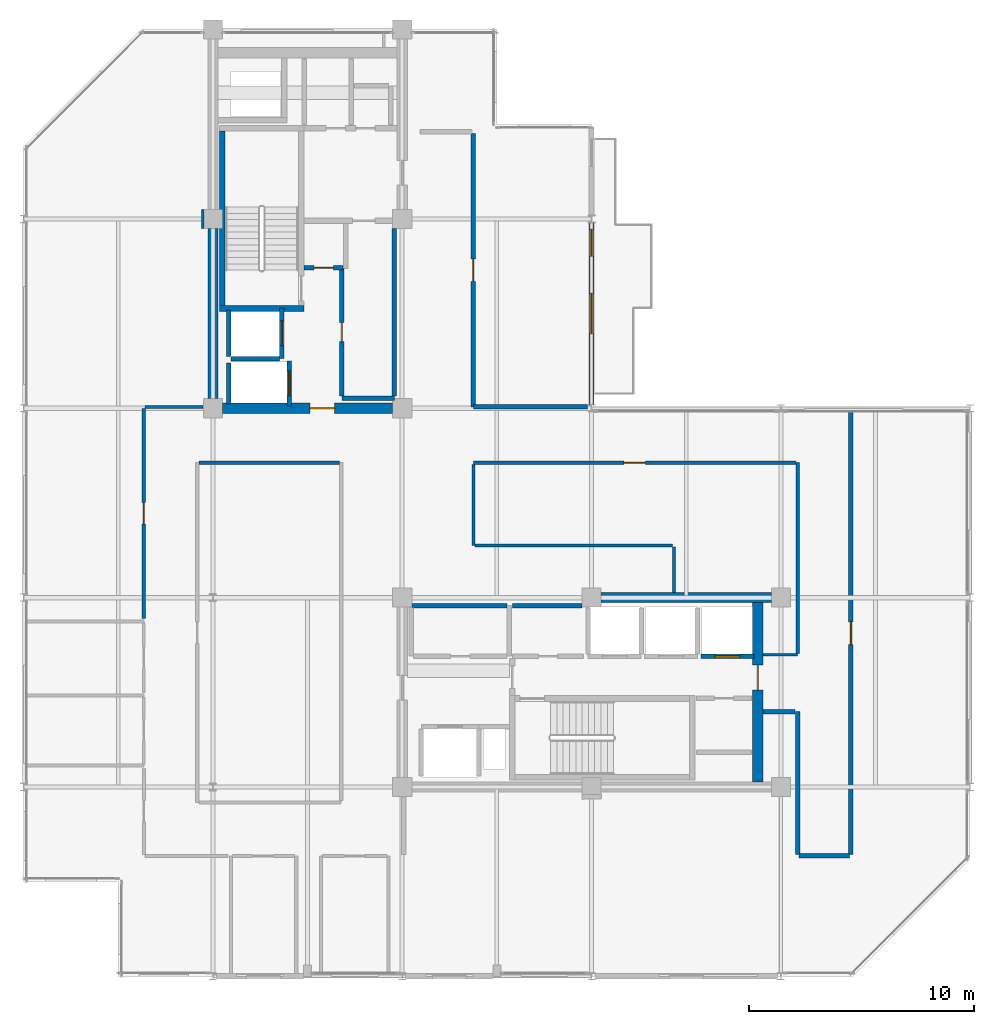
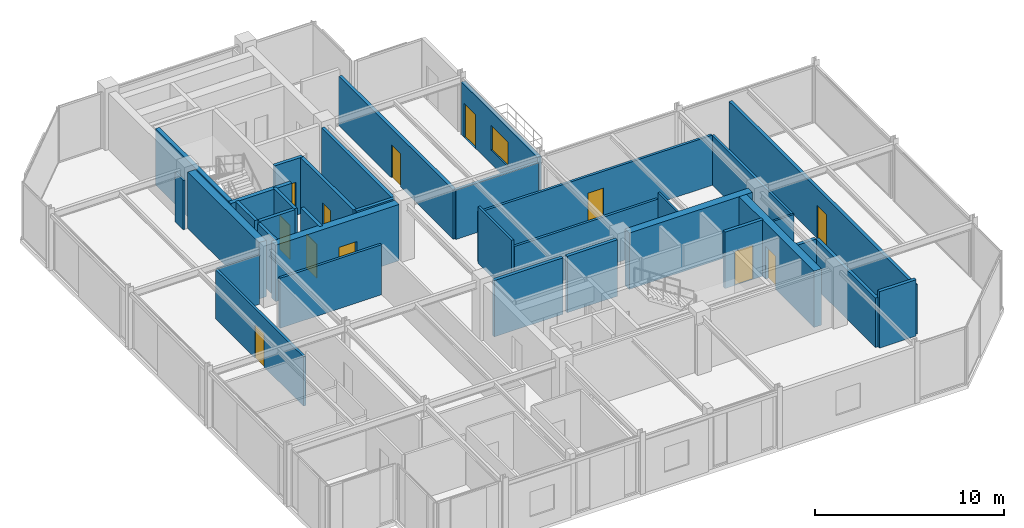
# One storey, part 22 of 26: 35 walls, 12 doors, 1 window, 13 openings.
"""IFC4 building model written with IfcOpenShell, lengths in metres."""

from ifc_helpers import new_model, si_unit, direction, frame, frame_2d, origin, place, context, subcontext, project, spatial, rectangle, extrude, material, layer, layer_set, type_object, element, fill, save


model = new_model("IFC4")

# Units and contexts
model_context = context("Model", 3, precision=1e-05, world=origin(), true_north=direction((0.0, 1.0)))
body_context = subcontext(model_context, "Body", "Model", "MODEL_VIEW")
ifc_project = project(units=[si_unit("LENGTHUNIT", "METRE"), si_unit("AREAUNIT", "SQUARE_METRE"), si_unit("VOLUMEUNIT", "CUBIC_METRE"), si_unit("PLANEANGLEUNIT", "RADIAN"), si_unit("MASSUNIT", "GRAM", prefix="KILO")], contexts=[model_context])

# Site, building, storey
site_placement = place(None, origin())
site = spatial("IfcSite", under=ifc_project, at=site_placement, CompositionType="ELEMENT")
building_placement = place(site_placement, origin())
building = spatial("IfcBuilding", under=site, at=building_placement, Name="Nerrivon Quay Data Exchange", CompositionType="ELEMENT")
storey_placement = place(building_placement, frame((0.0, 0.0, 282.199951171875)))
storey = spatial("IfcBuildingStorey", under=building, at=storey_placement, Name="L67", CompositionType="ELEMENT", Elevation=282.199951171875)

# Wall, openings, door, window
ifc_material_1 = material(Name="Architectural terracotta precast concrete N50 (50 MPa)", Category="masonry")
ifc_layer_1 = layer(ifc_material_1, 0.239990234375)
ifc_layer_set_1 = layer_set([ifc_layer_1], Name="Architectural terracotta precast concrete N50 (50 MPa)")
wall_type_1 = type_object("IfcWallType", Name="EW-PREC-240", PredefinedType="STANDARD", material=ifc_layer_set_1)
wall_1_placement = place(storey_placement, frame((25.199951171875, 33.4365234375, 0.0), z_axis=(0.0, 0.0, 1.0), x_axis=(0.0, -1.0, 0.0)))
wall_1 = element("IfcWall", 1, at=wall_1_placement, inside=storey, type_object=wall_type_1, Name="L67 Terrace Host Wall 23", PredefinedType="STANDARD", context=body_context, shape_type="SweptSolid", body=[
    extrude(rectangle(XDim=8.072998046875, YDim=0.239990234375, at=frame_2d((4.03662109375, 0.0))), origin(), (0.0, 0.0, 1.0), 3.400146484375),
])
opening_1_placement = place(wall_1_placement, frame((0.300048828125, 0.0, 0.0)))
opening_1 = element("IfcOpeningElement", 2, at=opening_1_placement, cuts=wall_1, Name="Opening TD1", PredefinedType="OPENING", context=body_context, shape_type="SweptSolid", body=[
    extrude(rectangle(XDim=1.199951171875, YDim=2.199951171875, at=frame_2d((0.60009765625, 1.10009765625))), frame((0.0, 0.1298828125, 0.0), z_axis=(0.0, -1.0, 0.0), x_axis=(1.0, 0.0, 0.0)), (0.0, 0.0, 1.0), 0.260009765625),
])
opening_2_placement = place(wall_1_placement, frame((3.136474609375, 0.0, 0.89990234375)))
opening_2 = element("IfcOpeningElement", 3, at=opening_2_placement, cuts=wall_1, Name="Opening WN2", PredefinedType="OPENING", context=body_context, shape_type="SweptSolid", body=[
    extrude(rectangle(XDim=1.800048828125, YDim=1.60009765625, at=frame_2d((0.89990234375, 0.800048828125))), frame((0.0, 0.1298828125, 0.0), z_axis=(0.0, -1.0, 0.0), x_axis=(1.0, 0.0, 0.0)), (0.0, 0.0, 1.0), 0.260009765625),
])
ifc_material_2 = material(Name="Double-glazed low-E solar control glass", Category="glass")
door_type_1 = type_object("IfcDoorType", Name="DR-TERR-1200x2200", OperationType="NOTDEFINED", PredefinedType="DOOR", material=ifc_material_2)
door_1_placement = place(opening_1_placement, origin())
door_1 = element("IfcDoor", 4, at=door_1_placement, inside=storey, type_object=door_type_1, Name="L67 Outdoor Terrace Access Door 23", OperationType="SINGLE_SWING_RIGHT", OverallHeight=2.199951171875, OverallWidth=1.199951171875, PredefinedType="DOOR", context=body_context, shape_type="SweptSolid", body=[
    extrude(rectangle(XDim=1.199951171875, YDim=2.199951171875, at=frame_2d((0.60009765625, 1.10009765625))), frame((0.0, 0.02490234375, 0.0), z_axis=(0.0, -1.0, 0.0), x_axis=(1.0, 0.0, 0.0)), (0.0, 0.0, 1.0), 0.050048828125),
])
fill(opening_1, door_1)
window_type = type_object("IfcWindowType", Name="WIN-W2-1800x1600", PartitioningType="SINGLE_PANEL", PredefinedType="WINDOW", material=ifc_material_2)
window_placement = place(opening_2_placement, origin())
window = element("IfcWindow", 5, at=window_placement, inside=storey, type_object=window_type, Name="L67 Terrace Side Window 23", OverallHeight=1.60009765625, OverallWidth=1.800048828125, PartitioningType="SINGLE_PANEL", PredefinedType="WINDOW", context=body_context, shape_type="SweptSolid", body=[
    extrude(rectangle(XDim=1.800048828125, YDim=1.60009765625, at=frame_2d((0.89990234375, 0.800048828125))), frame((0.0, 0.030029296875, 0.0), z_axis=(0.0, -1.0, 0.0), x_axis=(1.0, 0.0, 0.0)), (0.0, 0.0, 1.0), 0.06005859375),
])
fill(opening_2, window)

# Wall
ifc_material_3 = material(Name="Concrete N50 (50 MPa)", Category="concrete")
ifc_layer_2 = layer(ifc_material_3, 0.449951171875)
ifc_layer_set_2 = layer_set([ifc_layer_2], Name="Concrete N50 (50 MPa)")
wall_type_2 = type_object("IfcWallType", Name="WALL-CW-550", PredefinedType="SHEAR", material=ifc_layer_set_2)
wall_2_placement = place(storey_placement, frame((8.39990234375, 25.625, 0.0), z_axis=(0.0, 0.0, 1.0), x_axis=(0.0, 1.0, 0.0)))
element("IfcWall", 6, at=wall_2_placement, inside=storey, type_object=wall_type_2, Name="L67 West Split-Core Shear Wall WCW-W1", PredefinedType="SHEAR", context=body_context, shape_type="SweptSolid", body=[
    extrude(rectangle(XDim=7.550048828125, YDim=0.449951171875, at=frame_2d((3.77490234375, 0.0))), origin(), (0.0, 0.0, 1.0), 3.650146484375),
])

# Wall, opening, door
wall_3_placement = place(storey_placement, frame((8.824951171875, 25.199951171875, 0.0), z_axis=(0.0, 0.0, 1.0), x_axis=(1.0, 0.0, 0.0)))
wall_3 = element("IfcWall", 7, at=wall_3_placement, inside=storey, type_object=wall_type_2, Name="L67 West Split-Core Shear Wall WCW-S1", PredefinedType="SHEAR", context=body_context, shape_type="SweptSolid", body=[
    extrude(rectangle(XDim=7.550048828125, YDim=0.449951171875, at=frame_2d((3.77490234375, 0.0))), origin(), (0.0, 0.0, 1.0), 3.650146484375),
])
opening_3_placement = place(wall_3_placement, frame((3.875, 0.0, 0.0)))
opening_3 = element("IfcOpeningElement", 8, at=opening_3_placement, cuts=wall_3, Name="Opening FD-120", PredefinedType="OPENING", context=body_context, shape_type="SweptSolid", body=[
    extrude(rectangle(XDim=1.10009765625, YDim=2.14990234375, at=frame_2d((0.550048828125, 1.074951171875))), frame((0.0, 0.23486328125, 0.0), z_axis=(0.0, -1.0, 0.0), x_axis=(1.0, 0.0, 0.0)), (0.0, 0.0, 1.0), 0.469970703125),
])
ifc_material_4 = material(Name="Powder-coated galvanized steel sheet", Category="steel")
door_type_2 = type_object("IfcDoorType", Name="DR-FD120-1100", OperationType="NOTDEFINED", PredefinedType="DOOR", material=ifc_material_4)
door_2_placement = place(opening_3_placement, origin())
door_2 = element("IfcDoor", 9, at=door_2_placement, inside=storey, type_object=door_type_2, Name="L67 West Core Lobby Fire Door", OperationType="SINGLE_SWING_RIGHT", OverallHeight=2.14990234375, OverallWidth=1.10009765625, PredefinedType="DOOR", context=body_context, shape_type="SweptSolid", body=[
    extrude(rectangle(XDim=1.10009765625, YDim=2.14990234375, at=frame_2d((0.550048828125, 1.074951171875))), frame((0.0, 0.02490234375, 0.0), z_axis=(0.0, -1.0, 0.0), x_axis=(1.0, 0.0, 0.0)), (0.0, 0.0, 1.0), 0.050048828125),
])
fill(opening_3, door_2)

wall_4_placement = place(storey_placement, frame((32.574951171875, 8.625, 0.0), z_axis=(0.0, 0.0, 1.0), x_axis=(0.0, 1.0, 0.0)))
wall_4 = element("IfcWall", 10, at=wall_4_placement, inside=storey, type_object=wall_type_2, Name="L67 East Split-Core Shear Wall ECW-E1", PredefinedType="SHEAR", context=body_context, shape_type="SweptSolid", body=[
    extrude(rectangle(XDim=7.949951171875, YDim=0.449951171875, at=frame_2d((3.97509765625, 0.0))), origin(), (0.0, 0.0, 1.0), 3.650146484375),
])
opening_4_placement = place(wall_4_placement, frame((4.074951171875, 0.0, 0.0)))
opening_4 = element("IfcOpeningElement", 11, at=opening_4_placement, cuts=wall_4, Name="Opening FD-120", PredefinedType="OPENING", context=body_context, shape_type="SweptSolid", body=[
    extrude(rectangle(XDim=1.10009765625, YDim=2.14990234375, at=frame_2d((0.550048828125, 1.074951171875))), frame((0.0, 0.23486328125, 0.0), z_axis=(0.0, -1.0, 0.0), x_axis=(1.0, 0.0, 0.0)), (0.0, 0.0, 1.0), 0.469970703125),
])
door_3_placement = place(opening_4_placement, origin())
door_3 = element("IfcDoor", 12, at=door_3_placement, inside=storey, type_object=door_type_2, Name="L67 East Core Lobby Fire Door", OperationType="SINGLE_SWING_LEFT", OverallHeight=2.14990234375, OverallWidth=1.10009765625, PredefinedType="DOOR", context=body_context, shape_type="SweptSolid", body=[
    extrude(rectangle(XDim=1.10009765625, YDim=2.14990234375, at=frame_2d((0.550048828125, 1.074951171875))), frame((0.0, 0.02490234375, 0.0), z_axis=(0.0, -1.0, 0.0), x_axis=(1.0, 0.0, 0.0)), (0.0, 0.0, 1.0), 0.050048828125),
])
fill(opening_4, door_3)

# Wall
wall_5_placement = place(storey_placement, frame((25.625, 16.800048828125, 0.0), z_axis=(0.0, 0.0, 1.0), x_axis=(1.0, 0.0, 0.0)))
element("IfcWall", 13, at=wall_5_placement, inside=storey, type_object=wall_type_2, Name="L67 East Split-Core Shear Wall ECW-N1", PredefinedType="SHEAR", context=body_context, shape_type="SweptSolid", body=[
    extrude(rectangle(XDim=7.550048828125, YDim=0.449951171875, at=frame_2d((3.77490234375, 0.0))), origin(), (0.0, 0.0, 1.0), 3.650146484375),
])

# Wall, opening, door
ifc_material_5 = material(Name="Gypsum plasterboard on cold-formed framing", Category="gypsum")
ifc_layer_3 = layer(ifc_material_5, 0.199951171875)
ifc_layer_set_3 = layer_set([ifc_layer_3], Name="Gypsum plasterboard on cold-formed framing")
wall_type_3 = type_object("IfcWallType", Name="WALL-FW-200", PredefinedType="PARTITIONING", material=ifc_layer_set_3)
wall_6_placement = place(storey_placement, frame((11.449951171875, 27.39990234375, 0.0), z_axis=(0.0, 0.0, 1.0), x_axis=(0.0, 1.0, 0.0)))
wall_6 = element("IfcWall", 14, at=wall_6_placement, inside=storey, type_object=wall_type_3, Name="L67 Lift Front Wall FFL-1", PredefinedType="PARTITIONING", context=body_context, shape_type="SweptSolid", body=[
    extrude(rectangle(XDim=2.25, YDim=0.199951171875, at=frame_2d((1.125, 0.0))), origin(), (0.0, 0.0, 1.0), 3.650146484375),
])
opening_5_placement = place(wall_6_placement, frame((0.574951171875, 0.0, 0.0)))
opening_5 = element("IfcOpeningElement", 15, at=opening_5_placement, cuts=wall_6, Name="Opening LD-120", PredefinedType="OPENING", context=body_context, shape_type="SweptSolid", body=[
    extrude(rectangle(XDim=1.10009765625, YDim=2.199951171875, at=frame_2d((0.550048828125, 1.10009765625))), frame((0.0, 0.10986328125, 0.0), z_axis=(0.0, -1.0, 0.0), x_axis=(1.0, 0.0, 0.0)), (0.0, 0.0, 1.0), 0.219970703125),
])
door_type_3 = type_object("IfcDoorType", Name="DR-LIFT-LD120", OperationType="DOUBLE_DOOR_SLIDING", PredefinedType="DOOR", material=ifc_material_4)
door_4_placement = place(opening_5_placement, origin())
door_4 = element("IfcDoor", 16, at=door_4_placement, inside=storey, type_object=door_type_3, Name="L67 Lift Landing Sliding Door FFL-1", OperationType="DOUBLE_DOOR_SLIDING", OverallHeight=2.199951171875, OverallWidth=1.10009765625, PredefinedType="DOOR", context=body_context, shape_type="SweptSolid", body=[
    extrude(rectangle(XDim=1.10009765625, YDim=2.199951171875, at=frame_2d((0.550048828125, 1.10009765625))), frame((0.0, 0.02490234375, 0.0), z_axis=(0.0, -1.0, 0.0), x_axis=(1.0, 0.0, 0.0)), (0.0, 0.0, 1.0), 0.050048828125),
])
fill(opening_5, door_4)

# Walls
wall_7_placement = place(storey_placement, frame((9.10009765625, 27.5, 0.0), z_axis=(0.0, 0.0, 1.0), x_axis=(0.0, 1.0, 0.0)))
element("IfcWall", 17, at=wall_7_placement, inside=storey, type_object=wall_type_3, Name="L67 Lift Shaft Wall FFL-1 WEST", PredefinedType="PARTITIONING", context=body_context, shape_type="SweptSolid", body=[
    extrude(rectangle(XDim=2.050048828125, YDim=0.199951171875, at=frame_2d((1.02490234375, 0.0))), origin(), (0.0, 0.0, 1.0), 3.650146484375),
])
wall_8_placement = place(storey_placement, frame((9.199951171875, 27.39990234375, 0.0), z_axis=(0.0, 0.0, 1.0), x_axis=(1.0, 0.0, 0.0)))
element("IfcWall", 18, at=wall_8_placement, inside=storey, type_object=wall_type_3, Name="L67 Lift Shaft Wall FFL-1 SOUTH", PredefinedType="PARTITIONING", context=body_context, shape_type="SweptSolid", body=[
    extrude(rectangle(XDim=2.150146484375, YDim=0.199951171875, at=frame_2d((1.0751953125, 0.0))), origin(), (0.0, 0.0, 1.0), 3.650146484375),
])

# Wall, opening, door
wall_9_placement = place(storey_placement, frame((11.800048828125, 25.300048828125, 0.0), z_axis=(0.0, 0.0, 1.0), x_axis=(0.0, 1.0, 0.0)))
wall_9 = element("IfcWall", 19, at=wall_9_placement, inside=storey, type_object=wall_type_3, Name="L67 Lift Front Wall SVL-1", PredefinedType="PARTITIONING", context=body_context, shape_type="SweptSolid", body=[
    extrude(rectangle(XDim=2.0, YDim=0.199951171875, at=frame_2d((1.0, 0.0))), origin(), (0.0, 0.0, 1.0), 3.650146484375),
])
opening_6_placement = place(wall_9_placement, frame((0.449951171875, 0.0, 0.0)))
opening_6 = element("IfcOpeningElement", 20, at=opening_6_placement, cuts=wall_9, Name="Opening LD-120", PredefinedType="OPENING", context=body_context, shape_type="SweptSolid", body=[
    extrude(rectangle(XDim=1.10009765625, YDim=2.199951171875, at=frame_2d((0.550048828125, 1.10009765625))), frame((0.0, 0.10986328125, 0.0), z_axis=(0.0, -1.0, 0.0), x_axis=(1.0, 0.0, 0.0)), (0.0, 0.0, 1.0), 0.219970703125),
])
door_5_placement = place(opening_6_placement, origin())
door_5 = element("IfcDoor", 21, at=door_5_placement, inside=storey, type_object=door_type_3, Name="L67 Lift Landing Sliding Door SVL-1", OperationType="DOUBLE_DOOR_SLIDING", OverallHeight=2.199951171875, OverallWidth=1.10009765625, PredefinedType="DOOR", context=body_context, shape_type="SweptSolid", body=[
    extrude(rectangle(XDim=1.10009765625, YDim=2.199951171875, at=frame_2d((0.550048828125, 1.10009765625))), frame((0.0, 0.02490234375, 0.0), z_axis=(0.0, -1.0, 0.0), x_axis=(1.0, 0.0, 0.0)), (0.0, 0.0, 1.0), 0.050048828125),
])
fill(opening_6, door_5)

# Wall
wall_10_placement = place(storey_placement, frame((9.10009765625, 25.39990234375, 0.0), z_axis=(0.0, 0.0, 1.0), x_axis=(0.0, 1.0, 0.0)))
element("IfcWall", 22, at=wall_10_placement, inside=storey, type_object=wall_type_3, Name="L67 Lift Shaft Wall SVL-1 WEST", PredefinedType="PARTITIONING", context=body_context, shape_type="SweptSolid", body=[
    extrude(rectangle(XDim=1.800048828125, YDim=0.199951171875, at=frame_2d((0.89990234375, 0.0))), origin(), (0.0, 0.0, 1.0), 3.650146484375),
])

# Wall, opening, door
wall_11_placement = place(storey_placement, frame((30.050048828125, 14.199951171875, 0.0), z_axis=(0.0, 0.0, 1.0), x_axis=(1.0, 0.0, 0.0)))
wall_11 = element("IfcWall", 23, at=wall_11_placement, inside=storey, type_object=wall_type_3, Name="L67 Lift Front Wall PL9", PredefinedType="PARTITIONING", context=body_context, shape_type="SweptSolid", body=[
    extrude(rectangle(XDim=2.349853515625, YDim=0.199951171875, at=frame_2d((1.1748046875, 0.0))), origin(), (0.0, 0.0, 1.0), 3.650146484375),
])
opening_7_placement = place(wall_11_placement, frame((0.625, 0.0, 0.0)))
opening_7 = element("IfcOpeningElement", 24, at=opening_7_placement, cuts=wall_11, Name="Opening LD-120", PredefinedType="OPENING", context=body_context, shape_type="SweptSolid", body=[
    extrude(rectangle(XDim=1.10009765625, YDim=2.199951171875, at=frame_2d((0.550048828125, 1.10009765625))), frame((0.0, 0.10986328125, 0.0), z_axis=(0.0, -1.0, 0.0), x_axis=(1.0, 0.0, 0.0)), (0.0, 0.0, 1.0), 0.219970703125),
])
door_6_placement = place(opening_7_placement, origin())
door_6 = element("IfcDoor", 25, at=door_6_placement, inside=storey, type_object=door_type_3, Name="L67 Lift Landing Sliding Door PL9", OperationType="DOUBLE_DOOR_SLIDING", OverallHeight=2.199951171875, OverallWidth=1.10009765625, PredefinedType="DOOR", context=body_context, shape_type="SweptSolid", body=[
    extrude(rectangle(XDim=1.10009765625, YDim=2.199951171875, at=frame_2d((0.550048828125, 1.10009765625))), frame((0.0, 0.02490234375, 0.0), z_axis=(0.0, -1.0, 0.0), x_axis=(1.0, 0.0, 0.0)), (0.0, 0.0, 1.0), 0.050048828125),
])
fill(opening_7, door_6)

# Walls
wall_12_placement = place(storey_placement, frame((14.1201171875, 25.64990234375, 0.0), z_axis=(0.0, 0.0, 1.0), x_axis=(1.0, 0.0, 0.0)))
element("IfcWall", 26, at=wall_12_placement, inside=storey, type_object=wall_type_3, Name="L67 Partition Core Equipment Store", PredefinedType="PARTITIONING", context=body_context, shape_type="SweptSolid", body=[
    extrude(rectangle(XDim=2.329833984375, YDim=0.199951171875, at=frame_2d((1.1650390625, 0.0))), origin(), (0.0, 0.0, 1.0), 3.650146484375),
])
wall_13_placement = place(storey_placement, frame((16.449951171875, 25.75390625, 0.0), z_axis=(0.0, 0.0, 1.0), x_axis=(0.0, 1.0, 0.0)))
element("IfcWall", 27, at=wall_13_placement, inside=storey, type_object=wall_type_3, Name="L67 Partition Core Equipment Store", PredefinedType="PARTITIONING", context=body_context, shape_type="SweptSolid", body=[
    extrude(rectangle(XDim=7.416015625, YDim=0.199951171875, at=frame_2d((3.7080078125, 0.0))), origin(), (0.0, 0.0, 1.0), 3.650146484375),
])

# Wall, opening, door
wall_14_placement = place(storey_placement, frame((14.1201171875, 31.39990234375, 0.0), z_axis=(0.0, 0.0, 1.0), x_axis=(0.0, -1.0, 0.0)))
wall_14 = element("IfcWall", 28, at=wall_14_placement, inside=storey, type_object=wall_type_3, Name="L67 Partition Core Equipment Store", PredefinedType="PARTITIONING", context=body_context, shape_type="SweptSolid", body=[
    extrude(rectangle(XDim=5.64599609375, YDim=0.199951171875, at=frame_2d((2.822998046875, 0.0))), origin(), (0.0, 0.0, 1.0), 3.650146484375),
])
opening_8_placement = place(wall_14_placement, frame((2.39794921875, 0.0, 0.0)))
opening_8 = element("IfcOpeningElement", 29, at=opening_8_placement, cuts=wall_14, Name="Opening FD-60S", PredefinedType="OPENING", context=body_context, shape_type="SweptSolid", body=[
    extrude(rectangle(XDim=0.85009765625, YDim=2.14990234375, at=frame_2d((0.425048828125, 1.074951171875))), frame((0.0, 0.10986328125, 0.0), z_axis=(0.0, -1.0, 0.0), x_axis=(1.0, 0.0, 0.0)), (0.0, 0.0, 1.0), 0.219970703125),
])
ifc_material_6 = material(Name="Engineered hardwood timber", Category="wood")
door_type_4 = type_object("IfcDoorType", Name="DR-FD60-850", OperationType="NOTDEFINED", PredefinedType="DOOR", material=ifc_material_6)
door_7_placement = place(opening_8_placement, origin())
door_7 = element("IfcDoor", 30, at=door_7_placement, inside=storey, type_object=door_type_4, Name="L67 Door Core Equipment Store", OperationType="SINGLE_SWING_LEFT", OverallHeight=2.14990234375, OverallWidth=0.85009765625, PredefinedType="DOOR", context=body_context, shape_type="SweptSolid", body=[
    extrude(rectangle(XDim=0.85009765625, YDim=2.14990234375, at=frame_2d((0.425048828125, 1.074951171875))), frame((0.0, 0.02490234375, 0.0), z_axis=(0.0, -1.0, 0.0), x_axis=(1.0, 0.0, 0.0)), (0.0, 0.0, 1.0), 0.050048828125),
])
fill(opening_8, door_7)

wall_15_placement = place(storey_placement, frame((12.4541015625, 31.43994140625, 0.0), z_axis=(0.0, 0.0, 1.0), x_axis=(1.0, 0.0, 0.0)))
wall_15 = element("IfcWall", 31, at=wall_15_placement, inside=storey, type_object=wall_type_3, Name="L67 Partition Optical Patch Closet", PredefinedType="PARTITIONING", context=body_context, shape_type="SweptSolid", body=[
    extrude(rectangle(XDim=1.725830078125, YDim=0.199951171875, at=frame_2d((0.86279296875, 0.0))), origin(), (0.0, 0.0, 1.0), 3.650146484375),
])
opening_9_placement = place(wall_15_placement, frame((0.43798828125, 0.0, 0.0)))
opening_9 = element("IfcOpeningElement", 32, at=opening_9_placement, cuts=wall_15, Name="Opening FD-60S", PredefinedType="OPENING", context=body_context, shape_type="SweptSolid", body=[
    extrude(rectangle(XDim=0.85009765625, YDim=2.14990234375, at=frame_2d((0.425048828125, 1.074951171875))), frame((0.0, 0.10986328125, 0.0), z_axis=(0.0, -1.0, 0.0), x_axis=(1.0, 0.0, 0.0)), (0.0, 0.0, 1.0), 0.219970703125),
])
door_8_placement = place(opening_9_placement, origin())
door_8 = element("IfcDoor", 33, at=door_8_placement, inside=storey, type_object=door_type_4, Name="L67 Door Optical Patch Closet", OperationType="SINGLE_SWING_RIGHT", OverallHeight=2.14990234375, OverallWidth=0.85009765625, PredefinedType="DOOR", context=body_context, shape_type="SweptSolid", body=[
    extrude(rectangle(XDim=0.85009765625, YDim=2.14990234375, at=frame_2d((0.425048828125, 1.074951171875))), frame((0.0, 0.02490234375, 0.0), z_axis=(0.0, -1.0, 0.0), x_axis=(1.0, 0.0, 0.0)), (0.0, 0.0, 1.0), 0.050048828125),
])
fill(opening_9, door_8)

# Walls
wall_16_placement = place(storey_placement, frame((21.446044921875, 16.449951171875, 0.0), z_axis=(0.0, 0.0, 1.0), x_axis=(-1.0, 0.0, 0.0)))
element("IfcWall", 34, at=wall_16_placement, inside=storey, type_object=wall_type_3, Name="L67 Partition High-Zone Calibration Store", PredefinedType="PARTITIONING", context=body_context, shape_type="SweptSolid", body=[
    extrude(rectangle(XDim=4.216064453125, YDim=0.199951171875, at=frame_2d((2.10791015625, 0.0))), origin(), (0.0, 0.0, 1.0), 3.650146484375),
])
wall_17_placement = place(storey_placement, frame((24.77001953125, 16.449951171875, 0.0), z_axis=(0.0, 0.0, 1.0), x_axis=(-1.0, 0.0, 0.0)))
element("IfcWall", 35, at=wall_17_placement, inside=storey, type_object=wall_type_3, Name="L67 Partition High-Zone Network Closet", PredefinedType="PARTITIONING", context=body_context, shape_type="SweptSolid", body=[
    extrude(rectangle(XDim=3.070068359375, YDim=0.199951171875, at=frame_2d((1.53515625, 0.0))), origin(), (0.0, 0.0, 1.0), 3.650146484375),
])

# Wall, opening, door
wall_18_placement = place(storey_placement, frame((36.7099609375, 25.031005859375, 0.0), z_axis=(0.0, 0.0, 1.0), x_axis=(-1.2432708e-05, -0.999999999923, 0.0)))
wall_18 = element("IfcWall", 36, at=wall_18_placement, inside=storey, type_object=wall_type_3, Name="L67 Partition Colocation Data Workspace 1", PredefinedType="PARTITIONING", context=body_context, shape_type="SweptSolid", body=[
    extrude(rectangle(XDim=19.636962890625, YDim=0.199951171875, at=frame_2d((9.818359375, 0.0))), origin(), (0.0, 0.0, 1.0), 3.196044921875),
])
opening_10_placement = place(wall_18_placement, frame((9.318603515625, 0.0, 0.0)))
opening_10 = element("IfcOpeningElement", 37, at=opening_10_placement, cuts=wall_18, Name="Opening FD-60", PredefinedType="OPENING", context=body_context, shape_type="SweptSolid", body=[
    extrude(rectangle(XDim=1.0, YDim=2.14990234375, at=frame_2d((0.5, 1.074951171875))), frame((0.0, 0.10986328125, 0.0), z_axis=(0.0, -1.0, 0.0), x_axis=(1.0, 0.0, 0.0)), (0.0, 0.0, 1.0), 0.219970703125),
])
door_type_5 = type_object("IfcDoorType", Name="DR-FD60-1000", OperationType="NOTDEFINED", PredefinedType="DOOR", material=ifc_material_6)
door_9_placement = place(opening_10_placement, origin())
door_9 = element("IfcDoor", 38, at=door_9_placement, inside=storey, type_object=door_type_5, Name="L67 Door Colocation Data Workspace 1", OperationType="SINGLE_SWING_RIGHT", OverallHeight=2.14990234375, OverallWidth=1.0, PredefinedType="DOOR", context=body_context, shape_type="SweptSolid", body=[
    extrude(rectangle(XDim=1.0, YDim=2.14990234375, at=frame_2d((0.5, 1.074951171875))), frame((0.0, 0.02490234375, 0.0), z_axis=(0.0, -1.0, 0.0), x_axis=(1.0, 0.0, 0.0)), (0.0, 0.0, 1.0), 0.050048828125),
])
fill(opening_10, door_9)

# Walls
wall_19_placement = place(storey_placement, frame((36.64990234375, 5.340087890625, 0.0), z_axis=(0.0, 0.0, 1.0), x_axis=(-1.0, 0.0, 0.0)))
element("IfcWall", 39, at=wall_19_placement, inside=storey, type_object=wall_type_3, Name="L67 Partition Colocation Data Workspace 1", PredefinedType="PARTITIONING", context=body_context, shape_type="SweptSolid", body=[
    extrude(rectangle(XDim=2.25, YDim=0.199951171875, at=frame_2d((1.125, 0.0))), origin(), (0.0, 0.0, 1.0), 3.650146484375),
])
wall_20_placement = place(storey_placement, frame((34.340087890625, 5.39990234375, 0.0), z_axis=(0.0, 0.0, 1.0), x_axis=(0.0, 1.0, 0.0)))
element("IfcWall", 40, at=wall_20_placement, inside=storey, type_object=wall_type_3, Name="L67 Partition Colocation Data Workspace 1", PredefinedType="PARTITIONING", context=body_context, shape_type="SweptSolid", body=[
    extrude(rectangle(XDim=6.340087890625, YDim=0.199951171875, at=frame_2d((3.169921875, 0.0))), origin(), (0.0, 0.0, 1.0), 3.196044921875),
])
wall_21_placement = place(storey_placement, frame((34.236083984375, 11.739990234375, 0.0), z_axis=(0.0, 0.0, 1.0), x_axis=(-1.0, 0.0, 0.0)))
element("IfcWall", 41, at=wall_21_placement, inside=storey, type_object=wall_type_3, Name="L67 Partition Colocation Data Workspace 1", PredefinedType="PARTITIONING", context=body_context, shape_type="SweptSolid", body=[
    extrude(rectangle(XDim=1.43212890625, YDim=0.199951171875, at=frame_2d((0.716064453125, 0.0))), origin(), (0.0, 0.0, 1.0), 3.244140625),
])

# Wall, opening, door
wall_22_placement = place(storey_placement, frame((19.9599609375, 37.39990234375, 0.0), z_axis=(0.0, 0.0, 1.0), x_axis=(0.0, -1.0, 0.0)))
wall_22 = element("IfcWall", 42, at=wall_22_placement, inside=storey, type_object=wall_type_3, Name="L67 Partition Colocation Data Workspace 1", PredefinedType="PARTITIONING", context=body_context, shape_type="SweptSolid", body=[
    extrude(rectangle(XDim=12.139892578125, YDim=0.199951171875, at=frame_2d((6.06982421875, 0.0))), origin(), (0.0, 0.0, 1.0), 3.196044921875),
])
opening_11_placement = place(wall_22_placement, frame((5.570068359375, 0.0, 0.0)))
opening_11 = element("IfcOpeningElement", 43, at=opening_11_placement, cuts=wall_22, Name="Opening FD-60", PredefinedType="OPENING", context=body_context, shape_type="SweptSolid", body=[
    extrude(rectangle(XDim=1.0, YDim=2.14990234375, at=frame_2d((0.5, 1.074951171875))), frame((0.0, 0.10986328125, 0.0), z_axis=(0.0, -1.0, 0.0), x_axis=(1.0, 0.0, 0.0)), (0.0, 0.0, 1.0), 0.219970703125),
])
door_10_placement = place(opening_11_placement, origin())
door_10 = element("IfcDoor", 44, at=door_10_placement, inside=storey, type_object=door_type_5, Name="L67 Door Colocation Data Workspace 1", OperationType="SINGLE_SWING_LEFT", OverallHeight=2.14990234375, OverallWidth=1.0, PredefinedType="DOOR", context=body_context, shape_type="SweptSolid", body=[
    extrude(rectangle(XDim=1.0, YDim=2.14990234375, at=frame_2d((0.5, 1.074951171875))), frame((0.0, 0.02490234375, 0.0), z_axis=(0.0, -1.0, 0.0), x_axis=(1.0, 0.0, 0.0)), (0.0, 0.0, 1.0), 0.050048828125),
])
fill(opening_11, door_10)

# Walls
wall_23_placement = place(storey_placement, frame((19.9599609375, 25.260009765625, 0.0), z_axis=(0.0, 0.0, 1.0), x_axis=(0.999999995352, -9.641342e-05, 0.0)))
element("IfcWall", 45, at=wall_23_placement, inside=storey, type_object=wall_type_3, Name="L67 Partition Colocation Data Workspace 1", PredefinedType="PARTITIONING", context=body_context, shape_type="SweptSolid", body=[
    extrude(rectangle(XDim=5.064453125, YDim=0.199951171875, at=frame_2d((2.5322265625, 0.0))), origin(), (0.0, 0.0, 1.0), 3.196044921875),
])
ifc_layer_4 = layer(ifc_material_5, 0.1201171875)
ifc_layer_set_4 = layer_set([ifc_layer_4], Name="Gypsum plasterboard on cold-formed framing")
wall_type_4 = type_object("IfcWallType", Name="WALL-PT-120", PredefinedType="PARTITIONING", material=ifc_layer_set_4)
wall_24_placement = place(storey_placement, frame((28.860107421875, 19.050048828125, 0.0), z_axis=(0.0, 0.0, 1.0), x_axis=(0.0, -1.0, 0.0)))
element("IfcWall", 46, at=wall_24_placement, inside=storey, type_object=wall_type_4, Name="L67 Partition Quiet Reading Room", PredefinedType="PARTITIONING", context=body_context, shape_type="SweptSolid", body=[
    extrude(rectangle(XDim=2.02099609375, YDim=0.1201171875, at=frame_2d((1.010498046875, 0.0))), origin(), (0.0, 0.0, 1.0), 3.650146484375),
])
wall_25_placement = place(storey_placement, frame((32.803955078125, 14.260009765625, 0.0), z_axis=(0.0, 0.0, 1.0), x_axis=(1.0, 0.0, 0.0)))
element("IfcWall", 47, at=wall_25_placement, inside=storey, type_object=wall_type_4, Name="L67 Partition Quiet Reading Room", PredefinedType="PARTITIONING", context=body_context, shape_type="SweptSolid", body=[
    extrude(rectangle(XDim=1.5361328125, YDim=0.1201171875, at=frame_2d((0.76806640625, 0.0))), origin(), (0.0, 0.0, 1.0), 3.244140625),
])
wall_26_placement = place(storey_placement, frame((7.955810546875, 33.169189453125, 0.0), z_axis=(0.0, 0.0, 1.0), x_axis=(-0.000855919801, 0.999999633701, 0.0)))
element("IfcWall", 48, at=wall_26_placement, inside=storey, type_object=wall_type_4, Name="L67 Partition Technical Library", PredefinedType="PARTITIONING", context=body_context, shape_type="SweptSolid", body=[
    extrude(rectangle(XDim=0.855712890625, YDim=0.1201171875, at=frame_2d((0.427734375, 0.0))), origin(), (0.0, 0.0, 1.0), 3.196044921875),
])
wall_27_placement = place(storey_placement, frame((5.39990234375, 25.260009765625, 0.0), z_axis=(0.0, 0.0, 1.0), x_axis=(1.0, 0.0, 0.0)))
element("IfcWall", 49, at=wall_27_placement, inside=storey, type_object=wall_type_4, Name="L67 Partition Technical Library", PredefinedType="PARTITIONING", context=body_context, shape_type="SweptSolid", body=[
    extrude(rectangle(XDim=2.55517578125, YDim=0.1201171875, at=frame_2d((1.277587890625, 0.0))), origin(), (0.0, 0.0, 1.0), 3.196044921875),
])
ifc_layer_5 = layer(ifc_material_5, 0.135009765625)
ifc_layer_set_5 = layer_set([ifc_layer_5], Name="Gypsum plasterboard on cold-formed framing")
wall_type_5 = type_object("IfcWallType", Name="WALL-PT-135", PredefinedType="PARTITIONING", material=ifc_layer_set_5)
wall_28_placement = place(storey_placement, frame((19.9599609375, 22.7109375, 0.0), z_axis=(0.0, 0.0, 1.0), x_axis=(0.0, -1.0, 0.0)))
element("IfcWall", 50, at=wall_28_placement, inside=storey, type_object=wall_type_5, Name="L67 Partition Quiet Reading Room", PredefinedType="PARTITIONING", context=body_context, shape_type="SweptSolid", body=[
    extrude(rectangle(XDim=3.600830078125, YDim=0.135009765625, at=frame_2d((1.80029296875, 0.0))), origin(), (0.0, 0.0, 1.0), 3.650146484375),
])
ifc_layer_6 = layer(ifc_material_5, 0.14990234375)
ifc_layer_set_6 = layer_set([ifc_layer_6], Name="Gypsum plasterboard on cold-formed framing")
wall_type_6 = type_object("IfcWallType", Name="WALL-PT-150", PredefinedType="PARTITIONING", material=ifc_layer_set_6)
wall_29_placement = place(storey_placement, frame((34.340087890625, 14.323974609375, 0.0), z_axis=(0.0, 0.0, 1.0), x_axis=(0.0, 1.0, 0.0)))
element("IfcWall", 51, at=wall_29_placement, inside=storey, type_object=wall_type_6, Name="L67 Partition Quiet Reading Room", PredefinedType="PARTITIONING", context=body_context, shape_type="SweptSolid", body=[
    extrude(rectangle(XDim=8.466064453125, YDim=0.14990234375, at=frame_2d((4.23291015625, 0.0))), origin(), (0.0, 0.0, 1.0), 3.196044921875),
])

# Wall, opening, door
wall_30_placement = place(storey_placement, frame((34.260986328125, 22.7900390625, 0.0), z_axis=(0.0, 0.0, 1.0), x_axis=(-1.0, 0.0, 0.0)))
wall_30 = element("IfcWall", 52, at=wall_30_placement, inside=storey, type_object=wall_type_6, Name="L67 Partition Quiet Reading Room", PredefinedType="PARTITIONING", context=body_context, shape_type="SweptSolid", body=[
    extrude(rectangle(XDim=14.301025390625, YDim=0.14990234375, at=frame_2d((7.150390625, 0.0))), origin(), (0.0, 0.0, 1.0), 3.244140625),
])
opening_12_placement = place(wall_30_placement, frame((6.675537109375, 0.0, 0.0)))
opening_12 = element("IfcOpeningElement", 53, at=opening_12_placement, cuts=wall_30, Name="Opening D-01", PredefinedType="OPENING", context=body_context, shape_type="SweptSolid", body=[
    extrude(rectangle(XDim=0.949951171875, YDim=2.14990234375, at=frame_2d((0.47509765625, 1.074951171875))), frame((0.0, 0.0849609375, 0.0), z_axis=(0.0, -1.0, 0.0), x_axis=(1.0, 0.0, 0.0)), (0.0, 0.0, 1.0), 0.169921875),
])
door_type_6 = type_object("IfcDoorType", Name="DR-INT-950", OperationType="NOTDEFINED", PredefinedType="DOOR", material=ifc_material_6)
door_11_placement = place(opening_12_placement, origin())
door_11 = element("IfcDoor", 54, at=door_11_placement, inside=storey, type_object=door_type_6, Name="L67 Door Quiet Reading Room", OperationType="SINGLE_SWING_LEFT", OverallHeight=2.14990234375, OverallWidth=0.949951171875, PredefinedType="DOOR", context=body_context, shape_type="SweptSolid", body=[
    extrude(rectangle(XDim=0.949951171875, YDim=2.14990234375, at=frame_2d((0.47509765625, 1.074951171875))), frame((0.0, 0.02490234375, 0.0), z_axis=(0.0, -1.0, 0.0), x_axis=(1.0, 0.0, 0.0)), (0.0, 0.0, 1.0), 0.050048828125),
])
fill(opening_12, door_11)

# Walls
wall_31_placement = place(storey_placement, frame((20.031494140625, 19.110107421875, 0.0), z_axis=(0.0, 0.0, 1.0), x_axis=(1.0, 0.0, 0.0)))
element("IfcWall", 55, at=wall_31_placement, inside=storey, type_object=wall_type_6, Name="L67 Partition Quiet Reading Room", PredefinedType="PARTITIONING", context=body_context, shape_type="SweptSolid", body=[
    extrude(rectangle(XDim=8.7685546875, YDim=0.14990234375, at=frame_2d((4.38427734375, 0.0))), origin(), (0.0, 0.0, 1.0), 3.244140625),
])
wall_32_placement = place(storey_placement, frame((14.010986328125, 22.7900390625, 0.0), z_axis=(0.0, 0.0, 1.0), x_axis=(-1.0, 0.0, 0.0)))
element("IfcWall", 56, at=wall_32_placement, inside=storey, type_object=wall_type_6, Name="L67 Partition Staff Bistro", PredefinedType="PARTITIONING", context=body_context, shape_type="SweptSolid", body=[
    extrude(rectangle(XDim=6.221923828125, YDim=0.14990234375, at=frame_2d((3.11083984375, 0.0))), origin(), (0.0, 0.0, 1.0), 3.244140625),
])

# Wall, opening, door
wall_33_placement = place(storey_placement, frame((5.340087890625, 15.8701171875, 0.0), z_axis=(0.0, 0.0, 1.0), x_axis=(0.0, 1.0, 0.0)))
wall_33 = element("IfcWall", 57, at=wall_33_placement, inside=storey, type_object=wall_type_6, Name="L67 Partition Technical Library", PredefinedType="PARTITIONING", context=body_context, shape_type="SweptSolid", body=[
    extrude(rectangle(XDim=9.329833984375, YDim=0.14990234375, at=frame_2d((4.6650390625, 0.0))), origin(), (0.0, 0.0, 1.0), 3.196044921875),
])
opening_13_placement = place(wall_33_placement, frame((4.18994140625, 0.0, 0.0)))
opening_13 = element("IfcOpeningElement", 58, at=opening_13_placement, cuts=wall_33, Name="Opening D-01", PredefinedType="OPENING", context=body_context, shape_type="SweptSolid", body=[
    extrude(rectangle(XDim=0.949951171875, YDim=2.14990234375, at=frame_2d((0.47509765625, 1.074951171875))), frame((0.0, 0.0849609375, 0.0), z_axis=(0.0, -1.0, 0.0), x_axis=(1.0, 0.0, 0.0)), (0.0, 0.0, 1.0), 0.169921875),
])
door_12_placement = place(opening_13_placement, origin())
door_12 = element("IfcDoor", 59, at=door_12_placement, inside=storey, type_object=door_type_6, Name="L67 Door Technical Library", OperationType="SINGLE_SWING_LEFT", OverallHeight=2.14990234375, OverallWidth=0.949951171875, PredefinedType="DOOR", context=body_context, shape_type="SweptSolid", body=[
    extrude(rectangle(XDim=0.949951171875, YDim=2.14990234375, at=frame_2d((0.47509765625, 1.074951171875))), frame((0.0, 0.02490234375, 0.0), z_axis=(0.0, -1.0, 0.0), x_axis=(1.0, 0.0, 0.0)), (0.0, 0.0, 1.0), 0.050048828125),
])
fill(opening_13, door_12)

# Walls
ifc_layer_7 = layer(ifc_material_3, 0.25)
ifc_layer_set_7 = layer_set([ifc_layer_7], Name="Concrete N50 (50 MPa)")
wall_type_7 = type_object("IfcWallType", Name="WALL-SW-250", PredefinedType="SHEAR", material=ifc_layer_set_7)
wall_34_placement = place(storey_placement, frame((12.449951171875, 29.625, 0.0), z_axis=(0.0, 0.0, 1.0), x_axis=(-1.0, 0.0, 0.0)))
element("IfcWall", 60, at=wall_34_placement, inside=storey, type_object=wall_type_7, Name="L67 ST01 Structural Stair Core Wall NEAR", PredefinedType="SHEAR", context=body_context, shape_type="SweptSolid", body=[
    extrude(rectangle(XDim=3.75, YDim=0.25, at=frame_2d((1.875, 0.0))), origin(), (0.0, 0.0, 1.0), 3.650146484375),
])
wall_35_placement = place(storey_placement, frame((8.824951171875, 29.75, 0.0), z_axis=(0.0, 0.0, 1.0), x_axis=(0.0, 1.0, 0.0)))
element("IfcWall", 61, at=wall_35_placement, inside=storey, type_object=wall_type_7, Name="L67 ST01 Structural Stair Core Wall RIGHT", PredefinedType="SHEAR", context=body_context, shape_type="SweptSolid", body=[
    extrude(rectangle(XDim=7.75, YDim=0.25, at=frame_2d((3.875, 0.0))), origin(), (0.0, 0.0, 1.0), 3.650146484375),
])

save(model, "model.ifc")
